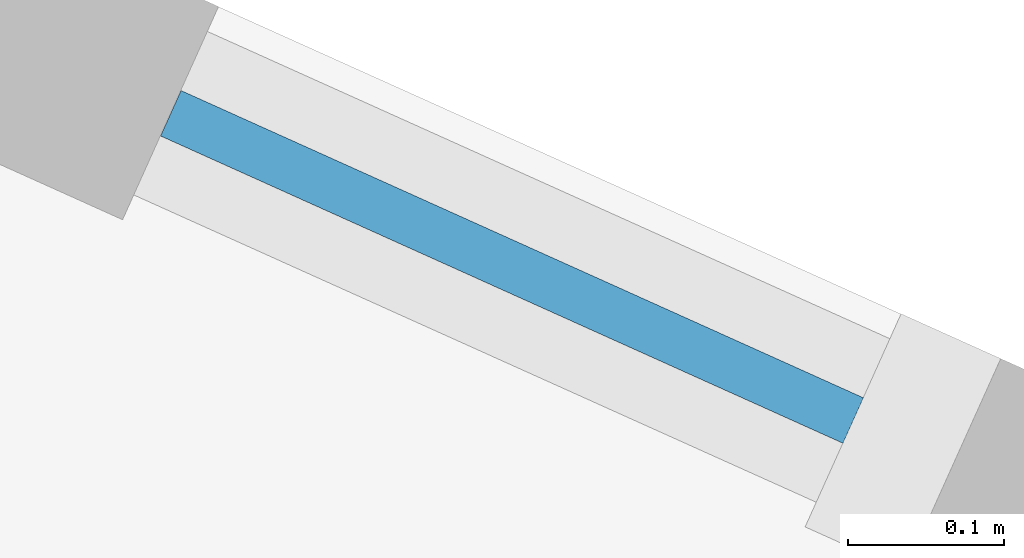
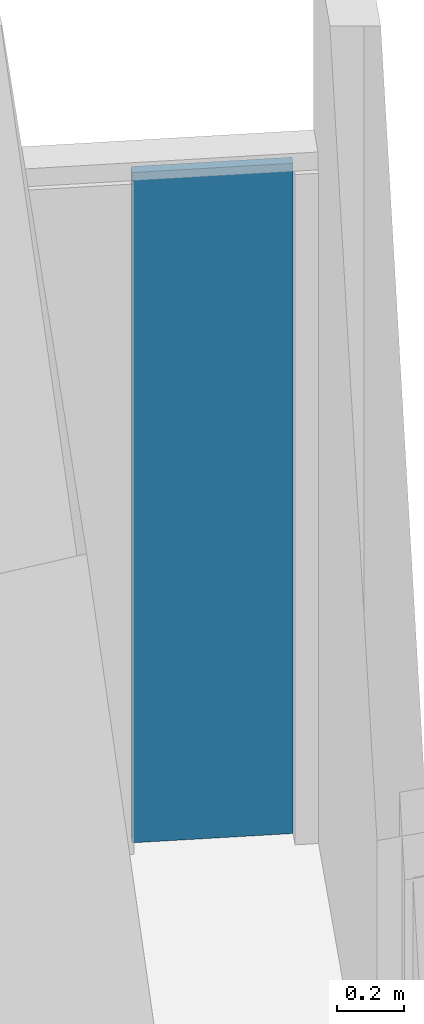
# One storey, part 17 of 26: 1 plate, 1 element without a shape of its own.
"""IFC4 building model written with IfcOpenShell, lengths in metres."""

from ifc_helpers import new_model, si_unit, direction, frame, origin, origin_2d, place, context, subcontext, project, spatial, rectangle, extrude, material, layer, layer_set, type_object, element, aggregate, save


model = new_model("IFC4")

# Units and contexts
model_context = context("Model", 3, precision=1e-05, world=origin(), true_north=direction((0.0, 1.0)))
body_context = subcontext(model_context, "Body", "Model", "MODEL_VIEW")
ifc_project = project(units=[si_unit("LENGTHUNIT", "METRE"), si_unit("AREAUNIT", "SQUARE_METRE"), si_unit("VOLUMEUNIT", "CUBIC_METRE"), si_unit("PLANEANGLEUNIT", "RADIAN"), si_unit("MASSUNIT", "GRAM", prefix="KILO")], contexts=[model_context])

# Site, building, storey
site_placement = place(None, origin())
site = spatial("IfcSite", under=ifc_project, at=site_placement, CompositionType="ELEMENT")
building_placement = place(site_placement, origin())
building = spatial("IfcBuilding", under=site, at=building_placement, Name="Verdalira Terraces Hotel", CompositionType="ELEMENT")
storey_placement = place(building_placement, frame((0.0, 0.0, 56.5)))
storey = spatial("IfcBuildingStorey", under=building, at=storey_placement, Name="L12", CompositionType="ELEMENT", Elevation=56.5)

# Curtain wall, plate
ifc_material_1 = material(Name="Clear glass", Category="glass")
ifc_layer_1 = layer(ifc_material_1, 0.14990234375)
ifc_layer_set_1 = layer_set([ifc_layer_1], Name="CW2 curtain wall")
curtain_wall_type = type_object("IfcCurtainWallType", Name="CW2 curtain wall", PredefinedType="NOTDEFINED", material=ifc_layer_set_1)
curtain_wall_placement = place(storey_placement, origin())
curtain_wall = element("IfcCurtainWall", 1, at=curtain_wall_placement, inside=storey, type_object=curtain_wall_type, Name="CW2 curtain wall L12 edge 38", PredefinedType="NOTDEFINED")
ifc_material_2 = material(Name="Clear glass", Category="glass")
ifc_layer_2 = layer(ifc_material_2, 0.031982421875)
ifc_layer_set_2 = layer_set([ifc_layer_2], Name="CW2 glass unit 32")
plate_type = type_object("IfcPlateType", Name="CW2 glass unit 32", PredefinedType="CURTAIN_PANEL", material=ifc_layer_set_2)
plate_placement = place(storey_placement, frame((33.703369, -8.128906, 0.0), z_axis=(0.0, 0.0, 1.0), x_axis=(-0.911833714, 0.410559714, 0.0)))
plate = element("IfcPlate", 2, at=plate_placement, type_object=plate_type, Name="CW2 glass unit", PredefinedType="CURTAIN_PANEL", context=body_context, shape_type="SweptSolid", body=[
    extrude(rectangle(XDim=0.47998, YDim=0.031982, at=origin_2d()), origin(), (0.0, 0.0, 1.0), 2.425049),
])
aggregate(curtain_wall, [plate])

save(model, "model.ifc")
